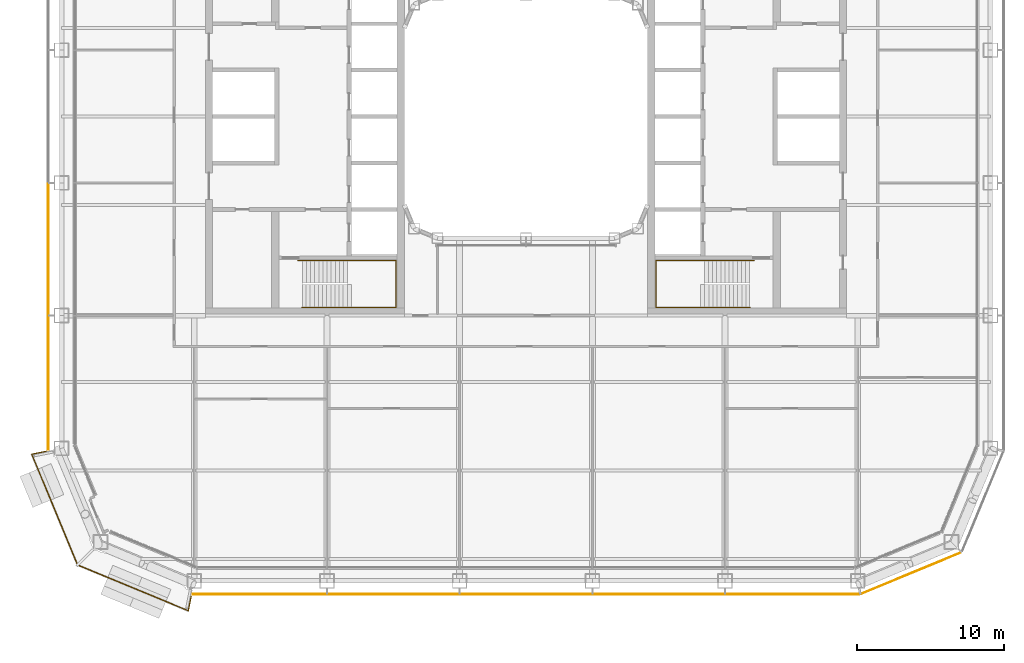
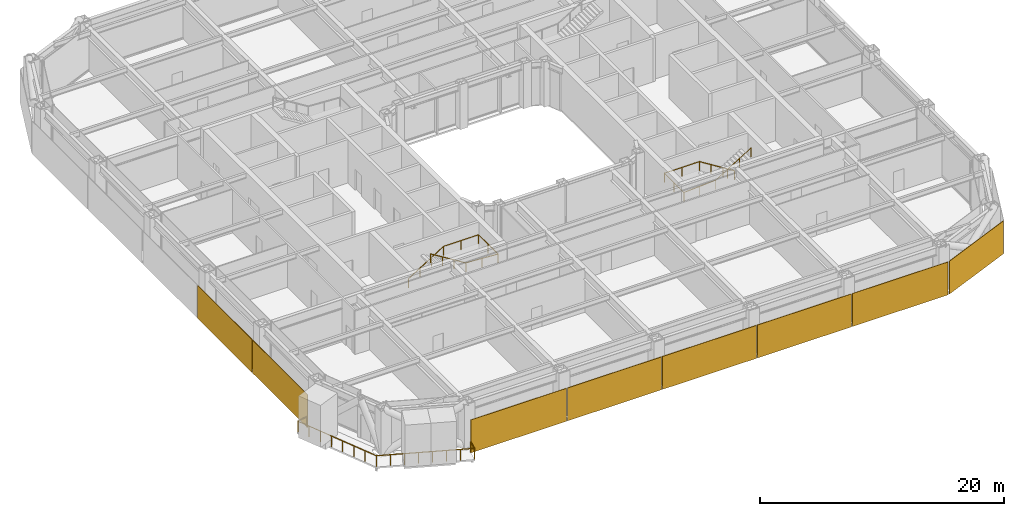
# One storey, part 23 of 27: 8 coverings, 3 railings.
"""IFC4 building model written with IfcOpenShell, lengths in metres."""

from ifc_helpers import new_model, si_unit, direction, frame, origin, origin_2d, place, context, subcontext, project, spatial, rectangle, circle, extrude, material, layer, layer_set, type_object, element, save


model = new_model("IFC4")

# Units and contexts
model_context = context("Model", 3, precision=1e-05, world=origin(), true_north=direction((0.0, 1.0)))
body_context = subcontext(model_context, "Body", "Model", "MODEL_VIEW")
ifc_project = project(units=[si_unit("LENGTHUNIT", "METRE"), si_unit("AREAUNIT", "SQUARE_METRE"), si_unit("VOLUMEUNIT", "CUBIC_METRE"), si_unit("PLANEANGLEUNIT", "RADIAN"), si_unit("MASSUNIT", "GRAM", prefix="KILO")], contexts=[model_context])

# Site, building, storey
site_placement = place(None, origin())
site = spatial("IfcSite", under=ifc_project, at=site_placement, CompositionType="ELEMENT")
building_placement = place(site_placement, origin())
building = spatial("IfcBuilding", under=site, at=building_placement, Name="Siwar Civic Tower", CompositionType="ELEMENT")
storey_placement = place(building_placement, frame((0.0, 0.0, 53.699951171875)))
storey = spatial("IfcBuildingStorey", under=building, at=storey_placement, Name="L11", CompositionType="ELEMENT", Elevation=53.699951171875)

# Railings
ifc_material_1 = material(Name="Stainless steel", Category="steel")
railing_type_1 = type_object("IfcRailingType", Name="CORE-STAIR-HANDRAIL", PredefinedType="HANDRAIL", material=ifc_material_1)
railing_1_placement = place(storey_placement, frame((-15.449951171875, -9.758056640625, 0.173095703125)))
element("IfcRailing", 1, at=railing_1_placement, inside=storey, type_object=railing_type_1, Name="Stair handrail ST2", PredefinedType="HANDRAIL", context=body_context, shape_type="SweptSolid", body=[
    extrude(circle(Radius=0.02001953125, at=origin_2d()), frame((0.0, 0.0, 0.8798828125), z_axis=(0.847063342986, 0.0, 0.531491950051), x_axis=(0.0, 1.0, 0.0)), (0.0, 0.0, 1.0), 3.90771484375),
    extrude(circle(Radius=0.02001953125, at=origin_2d()), frame((3.31005859375, 0.0, 2.956787109375), z_axis=(1.0, 0.0, 0.0), x_axis=(0.0, 1.0, 0.0)), (0.0, 0.0, 1.0), 3.331787109375),
    extrude(circle(Radius=0.02001953125, at=origin_2d()), frame((6.641845703125, 0.0, 2.956787109375), z_axis=(0.0, -1.0, 0.0), x_axis=(1.0, 0.0, 0.0)), (0.0, 0.0, 1.0), 3.183837890625),
    extrude(circle(Radius=0.02001953125, at=origin_2d()), frame((6.641845703125, -3.183837890625, 2.956787109375), z_axis=(-0.99837434197, 0.0, 0.056997134106), x_axis=(0.0, -1.0, 0.0)), (0.0, 0.0, 1.0), 3.036865234375),
    extrude(circle(Radius=0.02001953125, at=origin_2d()), frame((3.60986328125, -3.183837890625, 3.1298828125), z_axis=(-0.850606129759, 0.0, 0.525803396734), x_axis=(0.0, -1.0, 0.0)), (0.0, 0.0, 1.0), 3.949951171875),
    extrude(circle(Radius=0.02001953125, at=origin_2d()), origin(), (0.0, 0.0, 1.0), 0.85986328125),
    extrude(circle(Radius=0.02001953125, at=origin_2d()), frame((1.103271484375, 0.0, 0.6923828125)), (0.0, 0.0, 1.0), 0.85986328125),
    extrude(circle(Radius=0.02001953125, at=origin_2d()), frame((2.206787109375, 0.0, 1.384521484375)), (0.0, 0.0, 1.0), 0.85986328125),
    extrude(circle(Radius=0.02001953125, at=origin_2d()), frame((3.31005859375, 0.0, 2.076904296875)), (0.0, 0.0, 1.0), 0.85986328125),
    extrude(circle(Radius=0.02001953125, at=origin_2d()), frame((4.97607421875, 0.0, 2.076904296875)), (0.0, 0.0, 1.0), 0.85986328125),
    extrude(circle(Radius=0.02001953125, at=origin_2d()), frame((6.641845703125, 0.0, 2.076904296875)), (0.0, 0.0, 1.0), 0.85986328125),
    extrude(circle(Radius=0.02001953125, at=origin_2d()), frame((6.641845703125, -1.591796875, 2.076904296875)), (0.0, 0.0, 1.0), 0.85986328125),
    extrude(circle(Radius=0.02001953125, at=origin_2d()), frame((6.641845703125, -3.183837890625, 2.076904296875)), (0.0, 0.0, 1.0), 0.85986328125),
    extrude(circle(Radius=0.02001953125, at=origin_2d()), frame((5.1259765625, -3.183837890625, 2.16357421875)), (0.0, 0.0, 1.0), 0.85986328125),
    extrude(circle(Radius=0.02001953125, at=origin_2d()), frame((3.60986328125, -3.183837890625, 2.25)), (0.0, 0.0, 1.0), 0.85986328125),
    extrude(circle(Radius=0.02001953125, at=origin_2d()), frame((2.489990234375, -3.183837890625, 2.9423828125)), (0.0, 0.0, 1.0), 0.85986328125),
    extrude(circle(Radius=0.02001953125, at=origin_2d()), frame((1.369873046875, -3.183837890625, 3.634521484375)), (0.0, 0.0, 1.0), 0.85986328125),
    extrude(circle(Radius=0.02001953125, at=origin_2d()), frame((0.25, -3.183837890625, 4.326904296875)), (0.0, 0.0, 1.0), 0.85986328125),
])
railing_2_placement = place(storey_placement, frame((15.449951171875, -9.758056640625, 0.173095703125)))
element("IfcRailing", 2, at=railing_2_placement, inside=storey, type_object=railing_type_1, Name="Stair handrail ST4", PredefinedType="HANDRAIL", context=body_context, shape_type="SweptSolid", body=[
    extrude(circle(Radius=0.02001953125, at=origin_2d()), frame((0.0, 0.0, 0.8798828125), z_axis=(-0.847063342986, 0.0, 0.531491950051), x_axis=(0.0, -1.0, 0.0)), (0.0, 0.0, 1.0), 3.90771484375),
    extrude(circle(Radius=0.02001953125, at=origin_2d()), frame((-3.31005859375, 0.0, 2.956787109375), z_axis=(-1.0, 0.0, 0.0), x_axis=(0.0, -1.0, 0.0)), (0.0, 0.0, 1.0), 3.331787109375),
    extrude(circle(Radius=0.02001953125, at=origin_2d()), frame((-6.641845703125, 0.0, 2.956787109375), z_axis=(0.0, -1.0, 0.0), x_axis=(1.0, 0.0, 0.0)), (0.0, 0.0, 1.0), 3.183837890625),
    extrude(circle(Radius=0.02001953125, at=origin_2d()), frame((-6.641845703125, -3.183837890625, 2.956787109375), z_axis=(0.99837434197, 0.0, 0.056997134106), x_axis=(0.0, 1.0, 0.0)), (0.0, 0.0, 1.0), 3.036865234375),
    extrude(circle(Radius=0.02001953125, at=origin_2d()), frame((-3.60986328125, -3.183837890625, 3.1298828125), z_axis=(0.850606129759, 0.0, 0.525803396734), x_axis=(0.0, 1.0, 0.0)), (0.0, 0.0, 1.0), 3.949951171875),
    extrude(circle(Radius=0.02001953125, at=origin_2d()), origin(), (0.0, 0.0, 1.0), 0.85986328125),
    extrude(circle(Radius=0.02001953125, at=origin_2d()), frame((-1.103271484375, 0.0, 0.6923828125)), (0.0, 0.0, 1.0), 0.85986328125),
    extrude(circle(Radius=0.02001953125, at=origin_2d()), frame((-2.206787109375, 0.0, 1.384521484375)), (0.0, 0.0, 1.0), 0.85986328125),
    extrude(circle(Radius=0.02001953125, at=origin_2d()), frame((-3.31005859375, 0.0, 2.076904296875)), (0.0, 0.0, 1.0), 0.85986328125),
    extrude(circle(Radius=0.02001953125, at=origin_2d()), frame((-4.97607421875, 0.0, 2.076904296875)), (0.0, 0.0, 1.0), 0.85986328125),
    extrude(circle(Radius=0.02001953125, at=origin_2d()), frame((-6.641845703125, 0.0, 2.076904296875)), (0.0, 0.0, 1.0), 0.85986328125),
    extrude(circle(Radius=0.02001953125, at=origin_2d()), frame((-6.641845703125, -1.591796875, 2.076904296875)), (0.0, 0.0, 1.0), 0.85986328125),
    extrude(circle(Radius=0.02001953125, at=origin_2d()), frame((-6.641845703125, -3.183837890625, 2.076904296875)), (0.0, 0.0, 1.0), 0.85986328125),
    extrude(circle(Radius=0.02001953125, at=origin_2d()), frame((-5.1259765625, -3.183837890625, 2.16357421875)), (0.0, 0.0, 1.0), 0.85986328125),
    extrude(circle(Radius=0.02001953125, at=origin_2d()), frame((-3.60986328125, -3.183837890625, 2.25)), (0.0, 0.0, 1.0), 0.85986328125),
    extrude(circle(Radius=0.02001953125, at=origin_2d()), frame((-2.489990234375, -3.183837890625, 2.9423828125)), (0.0, 0.0, 1.0), 0.85986328125),
    extrude(circle(Radius=0.02001953125, at=origin_2d()), frame((-1.369873046875, -3.183837890625, 3.634521484375)), (0.0, 0.0, 1.0), 0.85986328125),
    extrude(circle(Radius=0.02001953125, at=origin_2d()), frame((-0.25, -3.183837890625, 4.326904296875)), (0.0, 0.0, 1.0), 0.85986328125),
])
ifc_material_2 = material(Name="Stainless steel 316", Category="steel")
railing_type_2 = type_object("IfcRailingType", Name="ENV-GUARD", PredefinedType="GUARDRAIL", material=ifc_material_2)
railing_3_placement = place(storey_placement, frame((-32.547119140625, -22.708251953125, 0.0)))
element("IfcRailing", 3, at=railing_3_placement, inside=storey, type_object=railing_type_2, Name="Balcony guard SW", PredefinedType="GUARDRAIL", context=body_context, shape_type="SweptSolid", body=[
    extrude(circle(Radius=0.02392578125, at=origin_2d()), frame((0.0, 0.0, 1.076171875), z_axis=(-0.980778661911, -0.195123592472, 0.0), x_axis=(0.195123592472, -0.980778661911, 0.0)), (0.0, 0.0, 1.0), 0.993408203125),
    extrude(circle(Radius=0.02392578125, at=origin_2d()), frame((-0.974365234375, -0.19384765625, 1.076171875), z_axis=(0.382176720888, -0.924089256518, 0.0), x_axis=(0.924089256518, 0.382176720888, 0.0)), (0.0, 0.0, 1.0), 8.129638671875),
    extrude(circle(Radius=0.02392578125, at=origin_2d()), frame((2.132568359375, -7.706298828125, 1.076171875), z_axis=(0.924089256518, -0.382176720888, 0.0), x_axis=(0.382176720888, 0.924089256518, 0.0)), (0.0, 0.0, 1.0), 8.129638671875),
    extrude(circle(Radius=0.02392578125, at=origin_2d()), frame((9.64501953125, -10.813232421875, 1.076171875), z_axis=(0.195123592472, 0.980778661911, 0.0), x_axis=(-0.980778661911, 0.195123592472, 0.0)), (0.0, 0.0, 1.0), 0.993408203125),
    extrude(circle(Radius=0.02099609375, at=origin_2d()), origin(), (0.0, 0.0, 1.0), 1.052001953125),
    extrude(circle(Radius=0.02099609375, at=origin_2d()), frame((-0.974365234375, -0.19384765625, 0.0)), (0.0, 0.0, 1.0), 1.052001953125),
    extrude(circle(Radius=0.02099609375, at=origin_2d()), frame((-0.530517578125, -1.26708984375, 0.0)), (0.0, 0.0, 1.0), 1.052001953125),
    extrude(circle(Radius=0.02099609375, at=origin_2d()), frame((-0.086669921875, -2.34033203125, 0.0)), (0.0, 0.0, 1.0), 1.052001953125),
    extrude(circle(Radius=0.02099609375, at=origin_2d()), frame((0.357177734375, -3.41357421875, 0.0)), (0.0, 0.0, 1.0), 1.052001953125),
    extrude(circle(Radius=0.02099609375, at=origin_2d()), frame((0.801025390625, -4.486572265625, 0.0)), (0.0, 0.0, 1.0), 1.052001953125),
    extrude(circle(Radius=0.02099609375, at=origin_2d()), frame((1.244873046875, -5.559814453125, 0.0)), (0.0, 0.0, 1.0), 1.052001953125),
    extrude(circle(Radius=0.02099609375, at=origin_2d()), frame((1.688720703125, -6.633056640625, 0.0)), (0.0, 0.0, 1.0), 1.052001953125),
    extrude(circle(Radius=0.02099609375, at=origin_2d()), frame((2.132568359375, -7.706298828125, 0.0)), (0.0, 0.0, 1.0), 1.052001953125),
    extrude(circle(Radius=0.02099609375, at=origin_2d()), frame((3.205810546875, -8.150146484375, 0.0)), (0.0, 0.0, 1.0), 1.052001953125),
    extrude(circle(Radius=0.02099609375, at=origin_2d()), frame((4.279052734375, -8.593994140625, 0.0)), (0.0, 0.0, 1.0), 1.052001953125),
    extrude(circle(Radius=0.02099609375, at=origin_2d()), frame((5.352294921875, -9.037841796875, 0.0)), (0.0, 0.0, 1.0), 1.052001953125),
    extrude(circle(Radius=0.02099609375, at=origin_2d()), frame((6.42529296875, -9.481689453125, 0.0)), (0.0, 0.0, 1.0), 1.052001953125),
    extrude(circle(Radius=0.02099609375, at=origin_2d()), frame((7.49853515625, -9.925537109375, 0.0)), (0.0, 0.0, 1.0), 1.052001953125),
    extrude(circle(Radius=0.02099609375, at=origin_2d()), frame((8.57177734375, -10.369384765625, 0.0)), (0.0, 0.0, 1.0), 1.052001953125),
    extrude(circle(Radius=0.02099609375, at=origin_2d()), frame((9.64501953125, -10.813232421875, 0.0)), (0.0, 0.0, 1.0), 1.052001953125),
    extrude(circle(Radius=0.02099609375, at=origin_2d()), frame((9.8388671875, -9.8388671875, 0.0)), (0.0, 0.0, 1.0), 1.052001953125),
])

# Coverings
ifc_material_3 = material(Name="Perforated aluminium cassette, pale metal", Category="aluminium")
ifc_layer_1 = layer(ifc_material_3, 0.050048828125)
ifc_layer_set_1 = layer_set([ifc_layer_1], Name="Perforated aluminium cassette, pale metal")
covering_type_1 = type_object("IfcCoveringType", Name="ENV-OUTER SKIN OS-3", PredefinedType="CLADDING", material=ifc_layer_set_1)
covering_1_placement = place(storey_placement, frame((26.115966796875, -30.976318359375, -0.14990234375), z_axis=(0.0, 0.0, 1.0), x_axis=(0.923879532511, 0.382683432365, 0.0)))
element("IfcCovering", 4, at=covering_1_placement, inside=storey, type_object=covering_type_1, Name="OUTER SKIN OS-3 SE1 1", PredefinedType="CLADDING", context=body_context, shape_type="SweptSolid", body=[
    extrude(rectangle(XDim=7.300048828125, YDim=0.050048828125, at=origin_2d()), origin(), (0.0, 0.0, 1.0), 3.300048828125),
])
covering_2_placement = place(storey_placement, frame((-32.39990234375, -9.0, -0.14990234375), z_axis=(0.0, 0.0, 1.0), x_axis=(0.0, -1.0, 0.0)))
element("IfcCovering", 5, at=covering_2_placement, inside=storey, type_object=covering_type_1, Name="OUTER SKIN OS-3 W 4", PredefinedType="CLADDING", context=body_context, shape_type="SweptSolid", body=[
    extrude(rectangle(XDim=8.89990234375, YDim=0.050048828125, at=origin_2d()), origin(), (0.0, 0.0, 1.0), 3.300048828125),
])
covering_3_placement = place(storey_placement, frame((-32.39990234375, -18.07958984375, -0.14990234375), z_axis=(0.0, 0.0, 1.0), x_axis=(0.0, -1.0, 0.0)))
element("IfcCovering", 6, at=covering_3_placement, inside=storey, type_object=covering_type_1, Name="OUTER SKIN OS-3 W 5", PredefinedType="CLADDING", context=body_context, shape_type="SweptSolid", body=[
    extrude(rectangle(XDim=9.05908203125, YDim=0.050048828125, at=origin_2d()), origin(), (0.0, 0.0, 1.0), 3.300048828125),
])
ifc_material_4 = material(Name="Perforated aluminium cassette, pale metal", Category="aluminium")
ifc_layer_2 = layer(ifc_material_4, 0.054931640625)
ifc_layer_set_2 = layer_set([ifc_layer_2], Name="Perforated aluminium cassette, pale metal")
covering_type_2 = type_object("IfcCoveringType", Name="ENV-OUTER SKIN OS-4", PredefinedType="CLADDING", material=ifc_layer_set_2)
covering_4_placement = place(storey_placement, frame((-18.07958984375, -32.39990234375, -0.14990234375), z_axis=(0.0, 0.0, 1.0), x_axis=(1.0, 0.0, 0.0)))
element("IfcCovering", 7, at=covering_4_placement, inside=storey, type_object=covering_type_2, Name="OUTER SKIN OS-4 S 1", PredefinedType="CLADDING", context=body_context, shape_type="SweptSolid", body=[
    extrude(rectangle(XDim=9.05908203125, YDim=0.054931640625, at=origin_2d()), origin(), (0.0, 0.0, 1.0), 3.300048828125),
])
for number, where, z_axis, x_axis, name in (
    (8, (-9.0, -32.39990234375, -0.14990234375), (0.0, 0.0, 1.0), (1.0, 0.0, 0.0), "OUTER SKIN OS-4 S 2"),
    (9, (0.0, -32.39990234375, -0.14990234375), (0.0, 0.0, 1.0), (1.0, 0.0, 0.0), "OUTER SKIN OS-4 S 3"),
    (10, (9.0, -32.39990234375, -0.14990234375), (0.0, 0.0, 1.0), (1.0, 0.0, 0.0), "OUTER SKIN OS-4 S 4"),
):
    element("IfcCovering", number, at=place(storey_placement, frame(where, z_axis=z_axis, x_axis=x_axis)), inside=storey, type_object=covering_type_2, Name=name, PredefinedType="CLADDING", context=body_context, shape_type="SweptSolid", body=[
        extrude(rectangle(XDim=8.89990234375, YDim=0.054931640625, at=origin_2d()), origin(), (0.0, 0.0, 1.0), 3.300048828125),
    ])
covering_5_placement = place(storey_placement, frame((18.07958984375, -32.39990234375, -0.14990234375), z_axis=(0.0, 0.0, 1.0), x_axis=(1.0, 0.0, 0.0)))
element("IfcCovering", 11, at=covering_5_placement, inside=storey, type_object=covering_type_2, Name="OUTER SKIN OS-4 S 5", PredefinedType="CLADDING", context=body_context, shape_type="SweptSolid", body=[
    extrude(rectangle(XDim=9.05908203125, YDim=0.054931640625, at=origin_2d()), origin(), (0.0, 0.0, 1.0), 3.300048828125),
])

save(model, "model.ifc")
